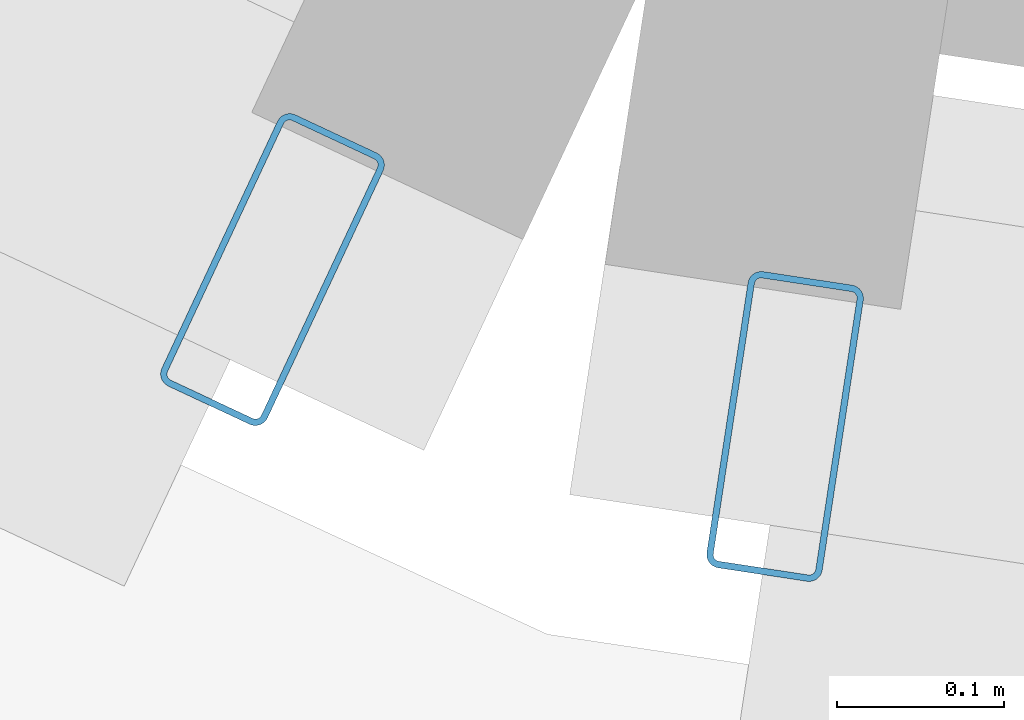
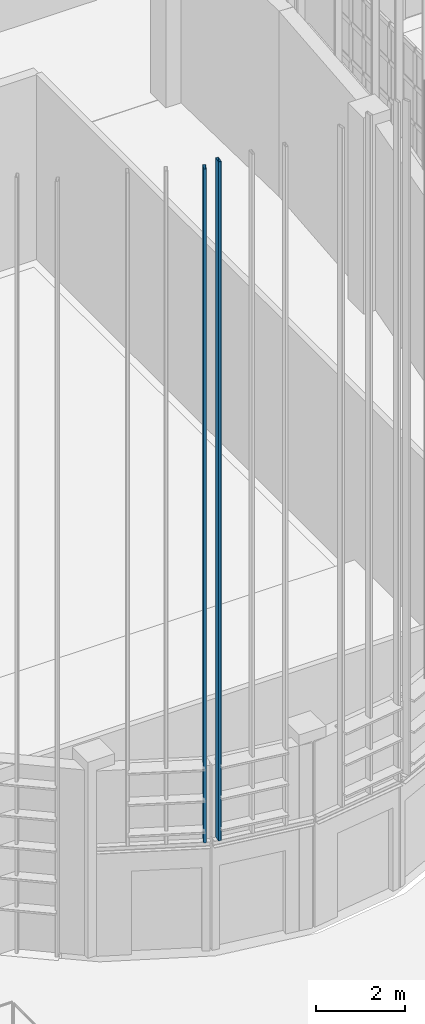
# One storey, part 134 of 372: 2 members.
"""IFC4 building model written with IfcOpenShell, lengths in metres."""

from ifc_helpers import new_model, si_unit, direction, frame, origin, origin_2d, place, context, subcontext, project, spatial, hollow_rectangle, extrude, material, material_profile, profile_set, type_object, element, save


model = new_model("IFC4")

# Units and contexts
model_context = context("Model", 3, precision=1e-05, world=origin(), true_north=direction((0.0, 1.0)))
body_context = subcontext(model_context, "Body", "Model", "MODEL_VIEW")
ifc_project = project(units=[si_unit("LENGTHUNIT", "METRE"), si_unit("AREAUNIT", "SQUARE_METRE"), si_unit("VOLUMEUNIT", "CUBIC_METRE"), si_unit("PLANEANGLEUNIT", "RADIAN"), si_unit("MASSUNIT", "GRAM", prefix="KILO")], contexts=[model_context])

# Site, building, storey
site_placement = place(None, origin())
site = spatial("IfcSite", under=ifc_project, at=site_placement, CompositionType="ELEMENT")
building_placement = place(site_placement, origin())
building = spatial("IfcBuilding", under=site, at=building_placement, Name="Kaelora Sail Theatre", CompositionType="ELEMENT")
storey_placement = place(building_placement, origin())
storey = spatial("IfcBuildingStorey", under=building, at=storey_placement, Name="L00", CompositionType="ELEMENT", Elevation=0.0)

# Members
ifc_material = material(Name="Anodised aluminium 6063-T6", Category="aluminium")
ifc_material_profile = material_profile(ifc_material, hollow_rectangle(XDim=0.070068359375, YDim=0.179931640625, WallThickness=0.00390625, InnerFilletRadius=0.00390625, OuterFilletRadius=0.008056640625, at=origin_2d()), Name="ALU-MULL 70x180x4")
ifc_profile_set = profile_set([ifc_material_profile], Name="Anodised aluminium 6063-T6")
member_type = type_object("IfcMemberType", Name="ARC-MEM-PST-160", PredefinedType="POST", material=ifc_profile_set)
member_1_placement = place(storey_placement, frame((88.275146484375, 31.35107421875, 3.10009765625), z_axis=(0.0, 0.0, 1.0), x_axis=(-0.988599245884, 0.150570684524, 0.0)))
element("IfcMember", 1, at=member_1_placement, inside=storey, type_object=member_type, Name="Studio Theatre Sail Drum solar louvre vertical support post C11-3", PredefinedType="POST", context=body_context, shape_type="SweptSolid", body=[
    extrude(hollow_rectangle(XDim=0.070068359375, YDim=0.179931640625, WallThickness=0.00390625, InnerFilletRadius=0.00390625, OuterFilletRadius=0.008056640625, at=origin_2d()), origin(), (0.0, 0.0, 1.0), 18.702392578125),
])
member_2_placement = place(storey_placement, frame((87.96728515625, 31.4453125, 3.10009765625), z_axis=(0.0, 0.0, 1.0), x_axis=(-0.905642821984, 0.424041364714, 0.0)))
element("IfcMember", 2, at=member_2_placement, inside=storey, type_object=member_type, Name="Studio Theatre Sail Drum solar louvre vertical support post C12-1", PredefinedType="POST", context=body_context, shape_type="SweptSolid", body=[
    extrude(hollow_rectangle(XDim=0.070068359375, YDim=0.179931640625, WallThickness=0.00390625, InnerFilletRadius=0.00390625, OuterFilletRadius=0.008056640625, at=origin_2d()), origin(), (0.0, 0.0, 1.0), 18.5537109375),
])

save(model, "model.ifc")
